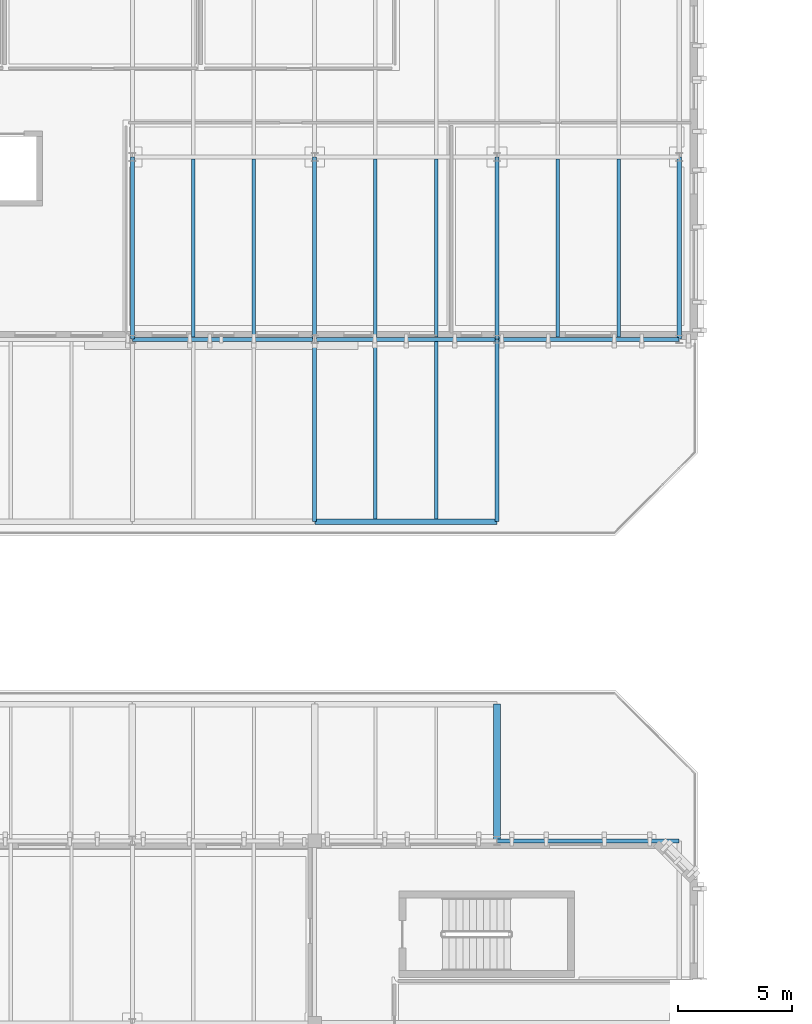
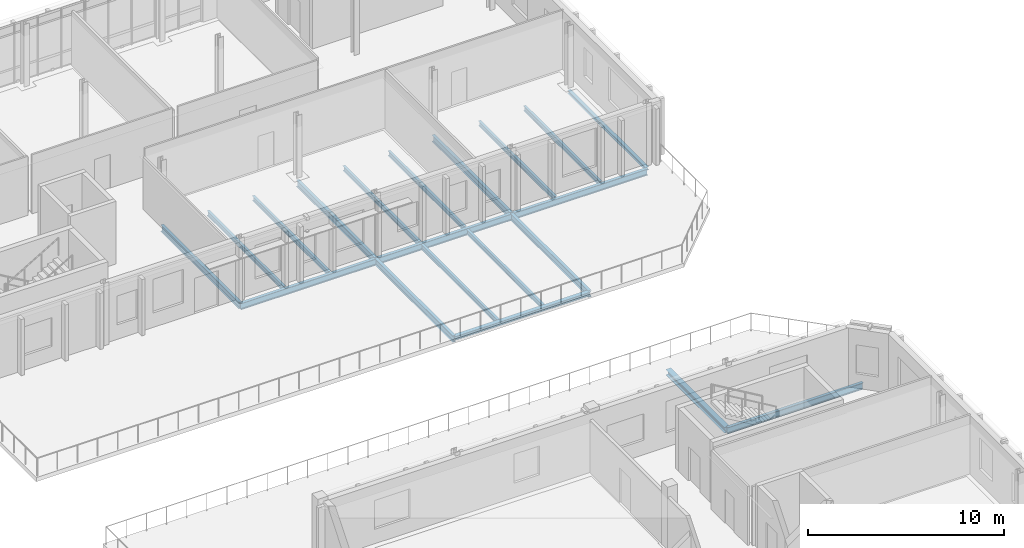
# One storey, part 8 of 43: 20 beams.
"""IFC4 building model written with IfcOpenShell, lengths in metres."""

from ifc_helpers import new_model, si_unit, direction, frame, origin, origin_2d, place, context, subcontext, project, spatial, i_section, extrude, material, material_profile, profile_set, type_object, element, save


model = new_model("IFC4")

# Units and contexts
model_context = context("Model", 3, precision=1e-05, world=origin(), true_north=direction((0.0, 1.0)))
body_context = subcontext(model_context, "Body", "Model", "MODEL_VIEW")
ifc_project = project(units=[si_unit("LENGTHUNIT", "METRE"), si_unit("AREAUNIT", "SQUARE_METRE"), si_unit("VOLUMEUNIT", "CUBIC_METRE"), si_unit("PLANEANGLEUNIT", "RADIAN"), si_unit("MASSUNIT", "GRAM", prefix="KILO")], contexts=[model_context])

# Site, building, storey
site_placement = place(None, origin())
site = spatial("IfcSite", under=ifc_project, at=site_placement, CompositionType="ELEMENT")
building_placement = place(site_placement, origin())
building = spatial("IfcBuilding", under=site, at=building_placement, Name="Cymarion Research Institute", CompositionType="ELEMENT")
storey_placement = place(building_placement, frame((0.0, 0.0, 22.800048828125)))
storey = spatial("IfcBuildingStorey", under=building, at=storey_placement, Name="L05", CompositionType="ELEMENT", Elevation=22.800048828125)

# Beams
ifc_material = material(Name="Steel S355", Category="steel")
ifc_material_profile_1 = material_profile(ifc_material, i_section(OverallWidth=0.179931640625, OverallDepth=0.39990234375, WebThickness=0.008544921875, FlangeThickness=0.013427734375, FilletRadius=0.02099609375, at=origin_2d()), Name="IPE 400")
ifc_profile_set_1 = profile_set([ifc_material_profile_1], Name="Steel S355")
beam_type_1 = type_object("IfcBeamType", Name="PRIMARY GIRDER BM05 IPE 400", PredefinedType="BEAM", material=ifc_profile_set_1)
for number, where, z_axis, x_axis, name in (
    (1, (38.60595703125, 71.5, -0.4599609375), (1.0, 0.0, 0.0), (0.0, 1.0, 0.0), "L05 V4 girder BM05 #1919"),
    (2, (22.60595703125, 93.5, -0.4599609375), (1.0, 0.0, 0.0), (0.0, 1.0, 0.0), "L05 V5 girder BM05 #1976"),
    (3, (30.60595703125, 93.5, -0.4599609375), (1.0, 0.0, 0.0), (0.0, 1.0, 0.0), "L05 V5 girder BM05 #1977"),
    (4, (38.60595703125, 93.5, -0.4599609375), (1.0, 0.0, 0.0), (0.0, 1.0, 0.0), "L05 V5 girder BM05 #1978"),
):
    element("IfcBeam", number, at=place(storey_placement, frame(where, z_axis=z_axis, x_axis=x_axis)), inside=storey, type_object=beam_type_1, Name=name, PredefinedType="BEAM", context=body_context, shape_type="SweptSolid", body=[
        extrude(i_section(OverallWidth=0.179931640625, OverallDepth=0.39990234375, WebThickness=0.008544921875, FlangeThickness=0.013427734375, FilletRadius=0.02099609375, at=origin_2d()), origin(), (0.0, 0.0, 1.0), 7.988037109375),
    ])
for number, where, z_axis, x_axis, name in (
    (5, (22.60009765625, 93.506103515625, -0.420166015625), (0.0, 1.0, 0.0), (-1.0, 0.0, 0.0), "L05 V5 girder BM05 #1999"),
    (6, (30.60009765625, 85.506103515625, -0.4599609375), (0.0, 1.0, 0.0), (-1.0, 0.0, 0.0), "L05 V5 girder BM05 #2002"),
    (7, (30.60009765625, 93.506103515625, -0.420166015625), (0.0, 1.0, 0.0), (-1.0, 0.0, 0.0), "L05 V5 girder BM05 #2003"),
    (8, (38.60009765625, 85.506103515625, -0.4599609375), (0.0, 1.0, 0.0), (-1.0, 0.0, 0.0), "L05 V5 girder BM05 #2006"),
    (9, (38.60009765625, 93.506103515625, -0.420166015625), (0.0, 1.0, 0.0), (-1.0, 0.0, 0.0), "L05 V5 girder BM05 #2007"),
):
    element("IfcBeam", number, at=place(storey_placement, frame(where, z_axis=z_axis, x_axis=x_axis)), inside=storey, type_object=beam_type_1, Name=name, PredefinedType="BEAM", context=body_context, shape_type="SweptSolid", body=[
        extrude(i_section(OverallWidth=0.179931640625, OverallDepth=0.39990234375, WebThickness=0.008544921875, FlangeThickness=0.013427734375, FilletRadius=0.02099609375, at=origin_2d()), origin(), (0.0, 0.0, 1.0), 7.98779296875),
    ])
ifc_material_profile_2 = material_profile(ifc_material, i_section(OverallWidth=0.300048828125, OverallDepth=0.35009765625, WebThickness=0.010009765625, FlangeThickness=0.017578125, FilletRadius=0.027099609375, at=origin_2d()), Name="HEA 360")
ifc_profile_set_2 = profile_set([ifc_material_profile_2], Name="Steel S355")
beam_type_2 = type_object("IfcBeamType", Name="PRIMARY GIRDER BM12 HEA 360", PredefinedType="BEAM", material=ifc_profile_set_2)
beam_1_placement = place(storey_placement, frame((38.60009765625, 71.506103515625, -0.43505859375), z_axis=(0.0, 1.0, 0.0), x_axis=(-1.0, 0.0, 0.0)))
element("IfcBeam", 10, at=beam_1_placement, inside=storey, type_object=beam_type_2, Name="L05 V4 girder BM12 #1940", PredefinedType="BEAM", context=body_context, shape_type="SweptSolid", body=[
    extrude(i_section(OverallWidth=0.300048828125, OverallDepth=0.35009765625, WebThickness=0.010009765625, FlangeThickness=0.017578125, FilletRadius=0.027099609375, at=origin_2d()), origin(), (0.0, 0.0, 1.0), 5.98779296875),
])
ifc_material_profile_3 = material_profile(ifc_material, i_section(OverallWidth=0.14990234375, OverallDepth=0.300048828125, WebThickness=0.007080078125, FlangeThickness=0.0107421875, FilletRadius=0.014892578125, at=origin_2d()), Name="IPE 300")
ifc_profile_set_3 = profile_set([ifc_material_profile_3], Name="Steel S355")
beam_type_3 = type_object("IfcBeamType", Name="SECONDARY JOIST JS02 IPE 300", PredefinedType="JOIST", material=ifc_profile_set_3)
for number, where, z_axis, x_axis, name in (
    (11, (33.2666015625, 85.6240234375, -0.41015625), (0.0, 1.0, 0.0), (-1.0, 0.0, 0.0), "L05 V5 secondary joist JS02 #2018"),
    (12, (35.933349609375, 85.6240234375, -0.41015625), (0.0, 1.0, 0.0), (-1.0, 0.0, 0.0), "L05 V5 secondary joist JS02 #2019"),
):
    element("IfcBeam", number, at=place(storey_placement, frame(where, z_axis=z_axis, x_axis=x_axis)), inside=storey, type_object=beam_type_3, Name=name, PredefinedType="JOIST", context=body_context, shape_type="SweptSolid", body=[
        extrude(i_section(OverallWidth=0.14990234375, OverallDepth=0.300048828125, WebThickness=0.007080078125, FlangeThickness=0.0107421875, FilletRadius=0.014892578125, at=origin_2d()), origin(), (0.0, 0.0, 1.0), 7.781982421875),
    ])
for number, where, z_axis, x_axis, name in (
    (13, (25.2666015625, 93.593994140625, -0.3701171875), (0.0, 1.0, 0.0), (-1.0, 0.0, 0.0), "L05 V5 secondary joist JS02 #2020"),
    (14, (27.933349609375, 93.593994140625, -0.3701171875), (0.0, 1.0, 0.0), (-1.0, 0.0, 0.0), "L05 V5 secondary joist JS02 #2021"),
    (15, (33.2666015625, 93.593994140625, -0.3701171875), (0.0, 1.0, 0.0), (-1.0, 0.0, 0.0), "L05 V5 secondary joist JS02 #2022"),
    (16, (35.933349609375, 93.593994140625, -0.3701171875), (0.0, 1.0, 0.0), (-1.0, 0.0, 0.0), "L05 V5 secondary joist JS02 #2023"),
    (17, (41.2666015625, 93.593994140625, -0.3701171875), (0.0, 1.0, 0.0), (-1.0, 0.0, 0.0), "L05 V5 secondary joist JS02 #2024"),
    (18, (43.933349609375, 93.593994140625, -0.3701171875), (0.0, 1.0, 0.0), (-1.0, 0.0, 0.0), "L05 V5 secondary joist JS02 #2025"),
):
    element("IfcBeam", number, at=place(storey_placement, frame(where, z_axis=z_axis, x_axis=x_axis)), inside=storey, type_object=beam_type_3, Name=name, PredefinedType="JOIST", context=body_context, shape_type="SweptSolid", body=[
        extrude(i_section(OverallWidth=0.14990234375, OverallDepth=0.300048828125, WebThickness=0.007080078125, FlangeThickness=0.0107421875, FilletRadius=0.014892578125, at=origin_2d()), origin(), (0.0, 0.0, 1.0), 7.81201171875),
    ])
ifc_material_profile_4 = material_profile(ifc_material, i_section(OverallWidth=0.239990234375, OverallDepth=0.22998046875, WebThickness=0.007568359375, FlangeThickness=0.011962890625, FilletRadius=0.02099609375, at=origin_2d()), Name="HEA 240")
ifc_profile_set_4 = profile_set([ifc_material_profile_4], Name="Steel S355")
beam_type_4 = type_object("IfcBeamType", Name="SPANDREL BEAM SPB03 HEA 240", PredefinedType="SPANDREL", material=ifc_profile_set_4)
beam_2_placement = place(storey_placement, frame((30.60595703125, 85.5, -0.375), z_axis=(1.0, 0.0, 0.0), x_axis=(0.0, 1.0, 0.0)))
element("IfcBeam", 19, at=beam_2_placement, inside=storey, type_object=beam_type_4, Name="L05 V5 girder SPB03 #1973", PredefinedType="SPANDREL", context=body_context, shape_type="SweptSolid", body=[
    extrude(i_section(OverallWidth=0.239990234375, OverallDepth=0.22998046875, WebThickness=0.007568359375, FlangeThickness=0.011962890625, FilletRadius=0.02099609375, at=origin_2d()), origin(), (0.0, 0.0, 1.0), 7.988037109375),
])
ifc_material_profile_5 = material_profile(ifc_material, i_section(OverallWidth=0.199951171875, OverallDepth=0.18994140625, WebThickness=0.006591796875, FlangeThickness=0.010009765625, FilletRadius=0.01806640625, at=origin_2d()), Name="HEA 200")
ifc_profile_set_5 = profile_set([ifc_material_profile_5], Name="Steel S355")
beam_type_5 = type_object("IfcBeamType", Name="SPANDREL BEAM SPB04 HEA 200", PredefinedType="SPANDREL", material=ifc_profile_set_5)
beam_3_placement = place(storey_placement, frame((46.60009765625, 93.506103515625, -0.31494140625), z_axis=(0.0, 1.0, 0.0), x_axis=(-1.0, 0.0, 0.0)))
element("IfcBeam", 20, at=beam_3_placement, inside=storey, type_object=beam_type_5, Name="L05 V5 girder SPB04 #2009", PredefinedType="SPANDREL", context=body_context, shape_type="SweptSolid", body=[
    extrude(i_section(OverallWidth=0.199951171875, OverallDepth=0.18994140625, WebThickness=0.006591796875, FlangeThickness=0.010009765625, FilletRadius=0.01806640625, at=origin_2d()), origin(), (0.0, 0.0, 1.0), 7.98779296875),
])

save(model, "model.ifc")
